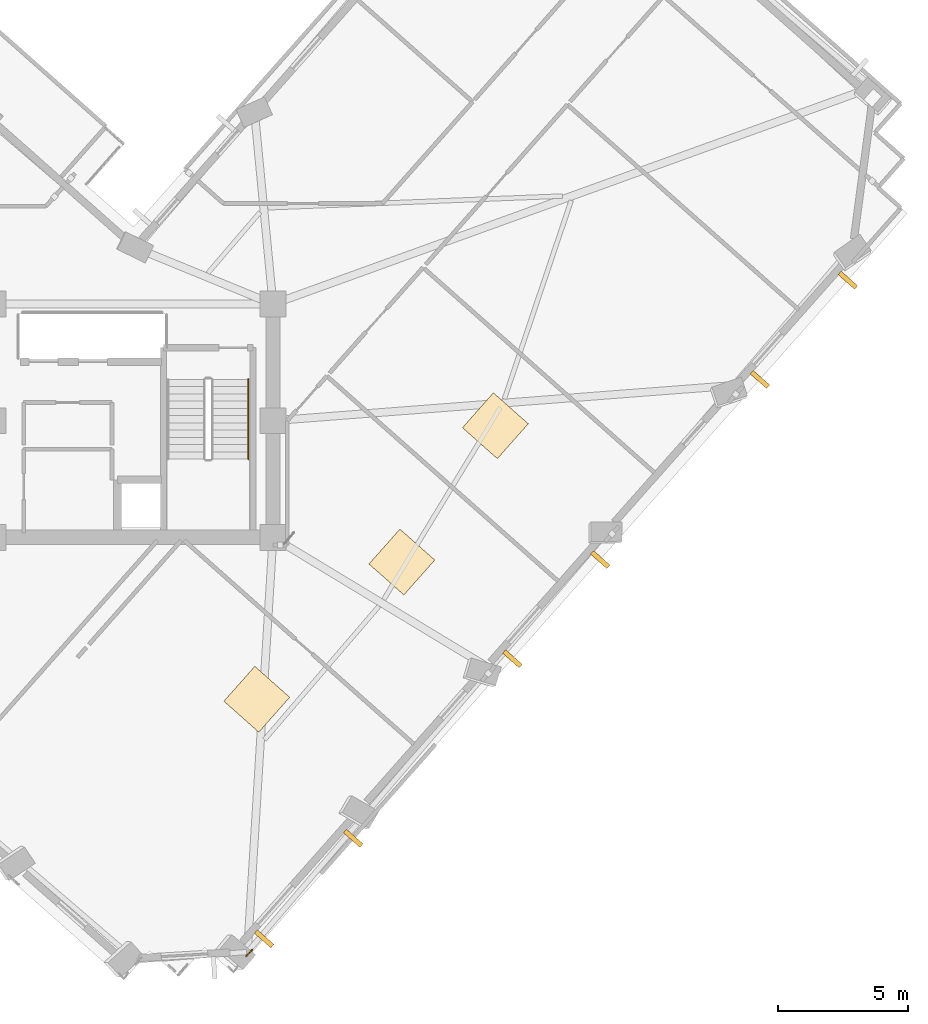
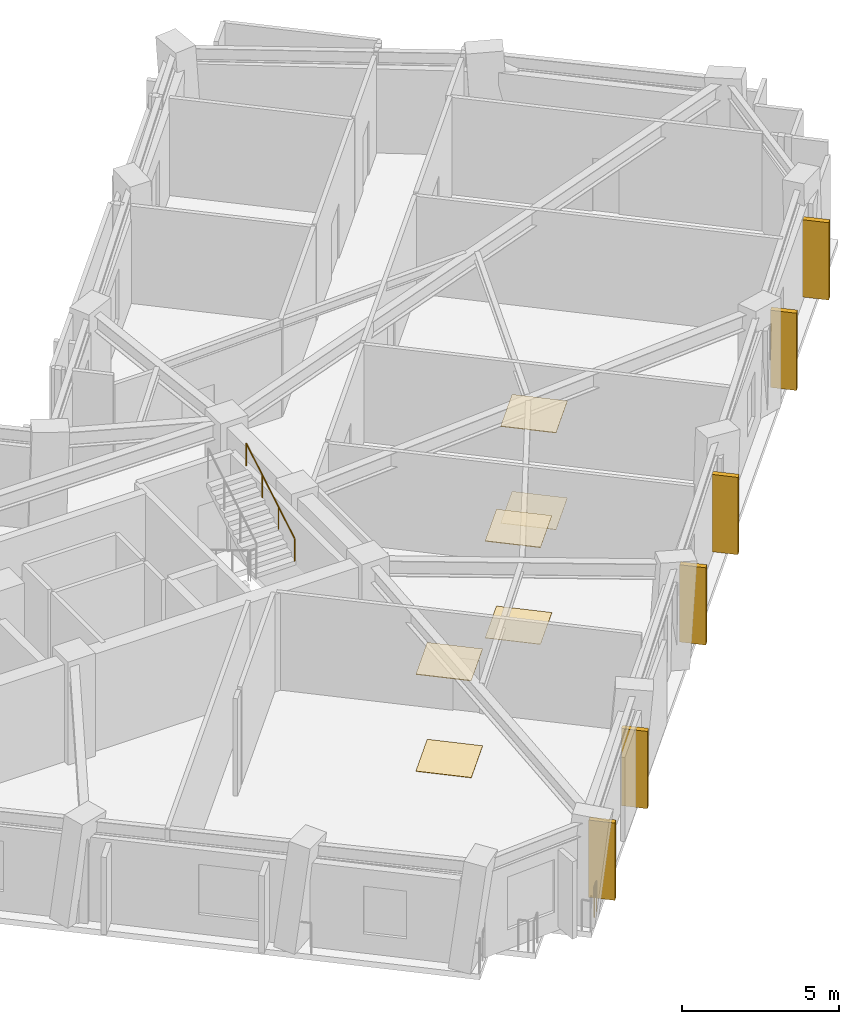
# One storey, part 12 of 13: 6 coverings, 6 shading devices, 2 railings.
"""IFC4 building model written with IfcOpenShell, lengths in metres."""

from ifc_helpers import new_model, si_unit, direction, frame, origin, origin_2d, place, context, subcontext, project, spatial, rectangle, circle, extrude, material, layer, layer_set, type_object, element, save


model = new_model("IFC4")

# Units and contexts
model_context = context("Model", 3, precision=1e-05, world=origin(), true_north=direction((0.0, 1.0)))
body_context = subcontext(model_context, "Body", "Model", "MODEL_VIEW")
ifc_project = project(units=[si_unit("LENGTHUNIT", "METRE"), si_unit("AREAUNIT", "SQUARE_METRE"), si_unit("VOLUMEUNIT", "CUBIC_METRE"), si_unit("PLANEANGLEUNIT", "RADIAN"), si_unit("MASSUNIT", "GRAM", prefix="KILO")], contexts=[model_context])

# Site, building, storey
site_placement = place(None, origin())
site = spatial("IfcSite", under=ifc_project, at=site_placement, CompositionType="ELEMENT")
building_placement = place(site_placement, origin())
building = spatial("IfcBuilding", under=site, at=building_placement, Name="Gaonmaruhae Medical Tower", CompositionType="ELEMENT")
storey_placement = place(building_placement, frame((0.0, 0.0, 231.199951171875)))
storey = spatial("IfcBuildingStorey", under=building, at=storey_placement, Name="L55", CompositionType="ELEMENT", Elevation=231.199951171875)

# Coverings
ifc_material_1 = material(Name="Acoustic mineral ceiling tile", Category="finish")
ifc_layer_1 = layer(ifc_material_1, 0.02490234375)
ifc_layer_set_1 = layer_set([ifc_layer_1], Name="Acoustic mineral ceiling tile")
covering_type_1 = type_object("IfcCoveringType", Name="CLG-01 Antimicrobial Acoustic Mineral Ceiling", PredefinedType="CEILING", material=ifc_layer_set_1)
for number, where, z_axis, x_axis, name in (
    (1, (34.97509765625, 1.548583984375, 3.755126953125), (0.0, 0.0, 1.0), (0.66327338299, 0.748377190605, 0.0), "L55 Clinical Room Acoustic Ceiling 2"),
    (2, (40.575439453125, 6.845458984375, 3.755126953125), (0.0, 0.0, 1.0), (0.66327338299, 0.748377190605, 0.0), "L55 Clinical Room Acoustic Ceiling 3"),
    (3, (44.18359375, 12.106201171875, 3.755126953125), (0.0, 0.0, 1.0), (0.66327338299, 0.748377190605, 0.0), "L55 Clinical Room Acoustic Ceiling 4"),
):
    element("IfcCovering", number, at=place(storey_placement, frame(where, z_axis=z_axis, x_axis=x_axis)), inside=storey, type_object=covering_type_1, Name=name, PredefinedType="CEILING", context=body_context, shape_type="SweptSolid", body=[
        extrude(rectangle(XDim=1.800048828125, YDim=1.800048828125, at=origin_2d()), origin(), (0.0, 0.0, 1.0), 0.02490234375),
    ])
ifc_material_2 = material(Name="Seamless clinical vinyl flooring", Category="finish")
ifc_layer_2 = layer(ifc_material_2, 0.014892578125)
ifc_layer_set_2 = layer_set([ifc_layer_2], Name="Seamless clinical vinyl flooring")
covering_type_2 = type_object("IfcCoveringType", Name="FLR-01 Seamless Clinical Antistatic Vinyl Flooring", PredefinedType="FLOORING", material=ifc_layer_set_2)
for number, where, z_axis, x_axis, name in (
    (4, (34.97509765625, 1.548583984375, 0.0), (0.0, 0.0, 1.0), (0.66327338299, 0.748377190605, 0.0), "L55 Clinical Room Vinyl Flooring 2"),
    (5, (40.575439453125, 6.845458984375, 0.0), (0.0, 0.0, 1.0), (0.66327338299, 0.748377190605, 0.0), "L55 Clinical Room Vinyl Flooring 3"),
    (6, (44.18359375, 12.106201171875, 0.0), (0.0, 0.0, 1.0), (0.66327338299, 0.748377190605, 0.0), "L55 Clinical Room Vinyl Flooring 4"),
):
    element("IfcCovering", number, at=place(storey_placement, frame(where, z_axis=z_axis, x_axis=x_axis)), inside=storey, type_object=covering_type_2, Name=name, PredefinedType="FLOORING", context=body_context, shape_type="SweptSolid", body=[
        extrude(rectangle(XDim=1.800048828125, YDim=1.800048828125, at=origin_2d()), origin(), (0.0, 0.0, 1.0), 0.014892578125),
    ])

# Railings
ifc_material_3 = material(Name="Stainless steel 316L and laminated safety glass", Category="steel")
ifc_layer_3 = layer(ifc_material_3, 0.080078125)
ifc_layer_set_3 = layer_set([ifc_layer_3], Name="Stainless steel 316L and laminated safety glass")
railing_type_1 = type_object("IfcRailingType", Name="GD-120 Outdoor Terrace Safety Glass & Steel Balustrade", PredefinedType="BALUSTRADE", material=ifc_layer_set_3)
railing_1_placement = place(storey_placement, frame((34.797607421875, -8.118408203125, 0.0)))
element("IfcRailing", 7, at=railing_1_placement, inside=storey, type_object=railing_type_1, Name="L55 Perimeter Slab Edge Safety Balustrade 03", PredefinedType="BALUSTRADE", context=body_context, shape_type="SweptSolid", body=[
    extrude(circle(Radius=0.02392578125, at=origin_2d()), frame((0.0, 0.0, 1.17578125), z_axis=(-0.663472002278, -0.748201110794, 0.0), x_axis=(0.748201110794, -0.663472002278, 0.0)), (0.0, 0.0, 1.0), 0.340087890625),
    extrude(circle(Radius=0.02099609375, at=origin_2d()), origin(), (0.0, 0.0, 1.0), 1.15185546875),
    extrude(circle(Radius=0.02099609375, at=origin_2d()), frame((-0.2255859375, -0.25439453125, 0.0)), (0.0, 0.0, 1.0), 1.15185546875),
])
ifc_material_4 = material(Name="Stainless steel 304 handrail", Category="steel")
railing_type_2 = type_object("IfcRailingType", Name="HR-092 Continuous Stainless Steel Stair Handrail", PredefinedType="HANDRAIL", material=ifc_material_4)
railing_2_placement = place(storey_placement, frame((34.64990234375, 10.820068359375, 2.166748046875)))
element("IfcRailing", 8, at=railing_2_placement, inside=storey, type_object=railing_type_2, Name="L55 ST-02 stair handrail 2", PredefinedType="HANDRAIL", context=body_context, shape_type="SweptSolid", body=[
    extrude(circle(Radius=0.02392578125, at=origin_2d()), frame((0.0, 0.0, 0.8759765625), z_axis=(0.0, 0.859290745958, 0.51148745235), x_axis=(-1.0, 0.0, 0.0)), (0.0, 0.0, 1.0), 3.584228515625),
    extrude(circle(Radius=0.02099609375, at=origin_2d()), origin(), (0.0, 0.0, 1.0), 0.851806640625),
    extrude(circle(Radius=0.02099609375, at=origin_2d()), frame((0.0, 1.026611328125, 0.611083984375)), (0.0, 0.0, 1.0), 0.851806640625),
    extrude(circle(Radius=0.02099609375, at=origin_2d()), frame((0.0, 2.05322265625, 1.22216796875)), (0.0, 0.0, 1.0), 0.851806640625),
    extrude(circle(Radius=0.02099609375, at=origin_2d()), frame((0.0, 3.079833984375, 1.833251953125)), (0.0, 0.0, 1.0), 0.851806640625),
])

# Shading devices
ifc_material_5 = material(Name="Pigmented coral precast concrete C45/55", Category="concrete")
shading_device_type = type_object("IfcShadingDeviceType", Name="SD-FIN1 Tower Vertical Coral Precast Shading Fin", PredefinedType="USERDEFINED", material=ifc_material_5)
for number, where, z_axis, x_axis, name in (
    (9, (38.6962890625, -3.817138671875, 0.132568359375), (0.0, 0.0, 1.0), (-0.66327338299, -0.748377190605, 0.0), "L55 Vertical Coral Precast Shading Fin S01"),
    (10, (35.257568359375, -7.697021484375, 0.132568359375), (0.0, 0.0, 1.0), (-0.66327338299, -0.748377190605, 0.0), "L55 Vertical Coral Precast Shading Fin S01B"),
    (11, (48.22998046875, 6.93994140625, 0.132568359375), (0.0, 0.0, 1.0), (-0.66327338299, -0.748377190605, 0.0), "L55 Vertical Coral Precast Shading Fin S03"),
    (12, (44.838623046875, 3.11328125, 0.132568359375), (0.0, 0.0, 1.0), (-0.66327338299, -0.748377190605, 0.0), "L55 Vertical Coral Precast Shading Fin S03B"),
    (13, (57.788330078125, 17.724609375, 0.132568359375), (0.0, 0.0, 1.0), (-0.66327338299, -0.748377190605, 0.0), "L55 Vertical Coral Precast Shading Fin S05"),
    (14, (54.393310546875, 13.89404296875, 0.132568359375), (0.0, 0.0, 1.0), (-0.66327338299, -0.748377190605, 0.0), "L55 Vertical Coral Precast Shading Fin S05B"),
):
    element("IfcShadingDevice", number, at=place(storey_placement, frame(where, z_axis=z_axis, x_axis=x_axis)), inside=storey, type_object=shading_device_type, Name=name, ObjectType="FIN", PredefinedType="USERDEFINED", context=body_context, shape_type="SweptSolid", body=[
        extrude(rectangle(XDim=0.179931640625, YDim=0.85009765625, at=origin_2d()), origin(), (0.0, 0.0, 1.0), 3.0),
    ])

save(model, "model.ifc")
